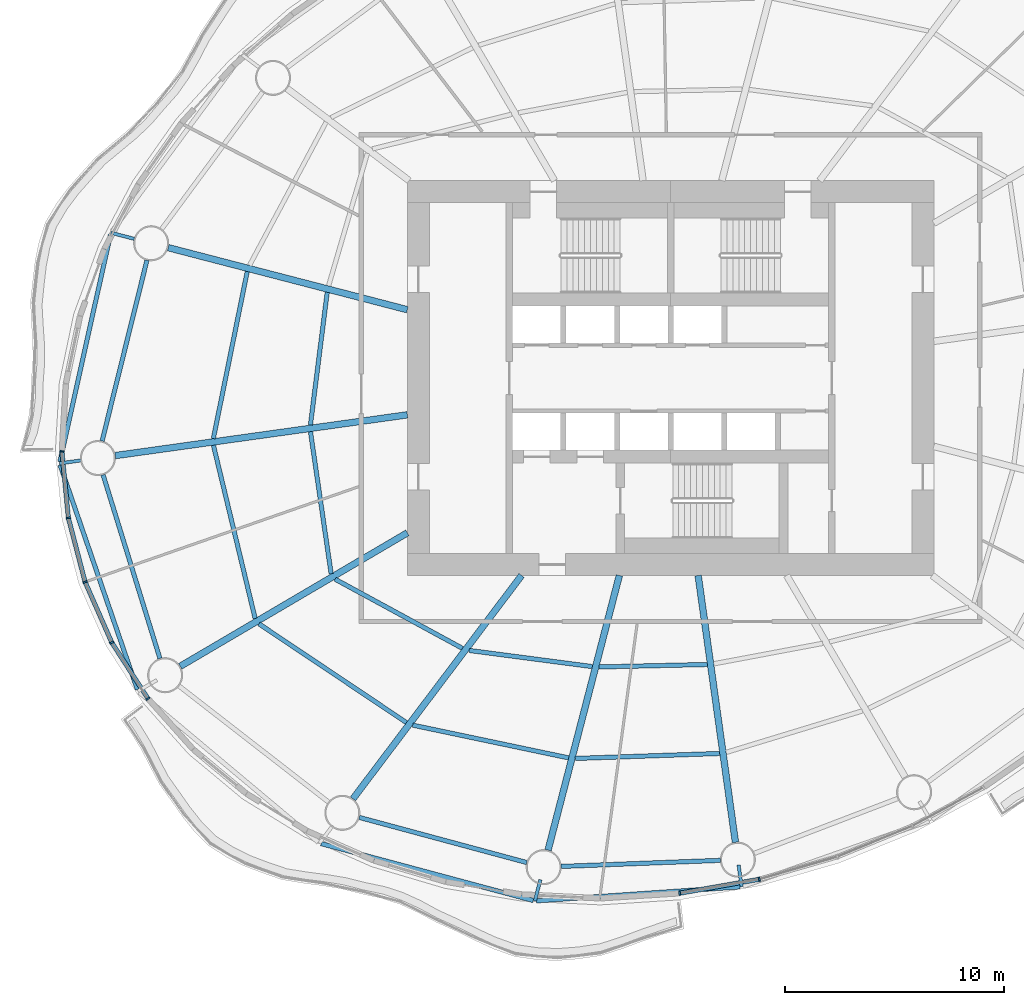
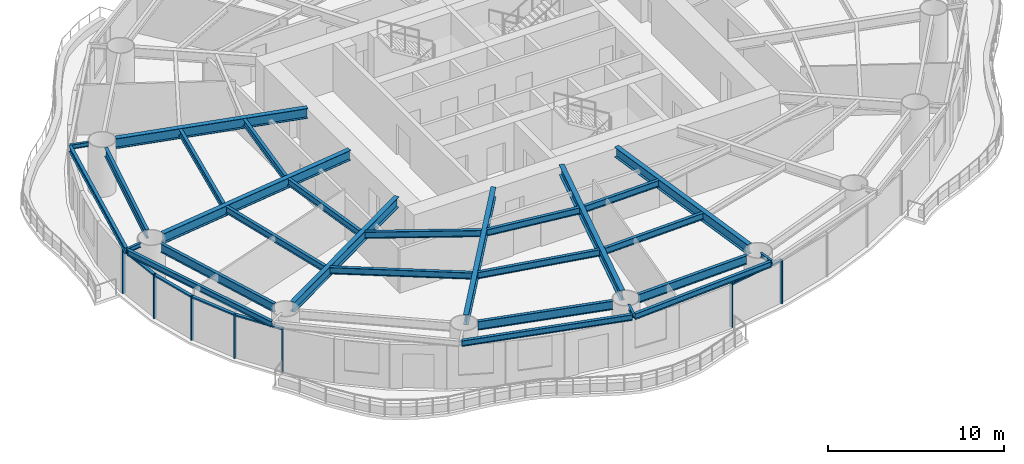
# One storey, part 2 of 16: 28 beams, 12 members, 6 elements without a shape of their own.
"""IFC4 building model written with IfcOpenShell, lengths in metres."""

from ifc_helpers import new_model, si_unit, direction, frame, origin, origin_2d, place, context, subcontext, project, spatial, rectangle, i_section, extrude, material, material_profile, profile_set, type_object, element, aggregate, save


model = new_model("IFC4")

# Units and contexts
model_context = context("Model", 3, precision=1e-05, world=origin(), true_north=direction((0.0, 1.0)))
body_context = subcontext(model_context, "Body", "Model", "MODEL_VIEW")
ifc_project = project(units=[si_unit("LENGTHUNIT", "METRE"), si_unit("AREAUNIT", "SQUARE_METRE"), si_unit("VOLUMEUNIT", "CUBIC_METRE"), si_unit("PLANEANGLEUNIT", "RADIAN"), si_unit("MASSUNIT", "GRAM", prefix="KILO")], contexts=[model_context])

# Site, building, storey
site_placement = place(None, origin())
site = spatial("IfcSite", under=ifc_project, at=site_placement, CompositionType="ELEMENT")
building_placement = place(site_placement, origin())
building = spatial("IfcBuilding", under=site, at=building_placement, Name="Vermilion Reach Broadcast Tower", CompositionType="ELEMENT")
storey_placement = place(building_placement, frame((0.0, 0.0, 110.199951171875)))
storey = spatial("IfcBuildingStorey", under=building, at=storey_placement, Name="L25", CompositionType="ELEMENT", Elevation=110.199951171875)

# Beams
ifc_material_1 = material(Name="Steel S355J2", Category="steel")
ifc_material_profile_1 = material_profile(ifc_material_1, i_section(OverallWidth=0.199951171875, OverallDepth=0.39990234375, WebThickness=0.008056640625, FlangeThickness=0.012939453125, at=origin_2d()), Name="S355J2 HN 400x200x8x13")
ifc_profile_set_1 = profile_set([ifc_material_profile_1], Name="Steel S355J2")
beam_type_1 = type_object("IfcBeamType", Name="EB2 HN 400x200x8x13", PredefinedType="BEAM", material=ifc_profile_set_1)
beam_1_placement = place(storey_placement, frame((-31.531005859375, 6.549072265625, 3.25), z_axis=(-0.217436958046, -0.976074366673, 0.0), x_axis=(0.976074366673, -0.217436958046, 0.0)))
element("IfcBeam", 1, at=beam_1_placement, inside=storey, type_object=beam_type_1, Name="Edge beam EB2-07", PredefinedType="BEAM", context=body_context, shape_type="SweptSolid", body=[
    extrude(i_section(OverallWidth=0.199951171875, OverallDepth=0.39990234375, WebThickness=0.008056640625, FlangeThickness=0.012939453125, at=origin_2d()), origin(), (0.0, 0.0, 1.0), 10.614990234375),
])
beam_2_placement = place(storey_placement, frame((-33.83154296875, -3.96240234375, 3.25), z_axis=(0.325539042291, -0.945528599221, 0.0), x_axis=(0.945528599221, 0.325539042291, 0.0)))
element("IfcBeam", 2, at=beam_2_placement, inside=storey, type_object=beam_type_1, Name="Edge beam EB2-08", PredefinedType="BEAM", context=body_context, shape_type="SweptSolid", body=[
    extrude(i_section(OverallWidth=0.199951171875, OverallDepth=0.39990234375, WebThickness=0.008056640625, FlangeThickness=0.012939453125, at=origin_2d()), origin(), (0.0, 0.0, 1.0), 10.829345703125),
])
beam_3_placement = place(storey_placement, frame((-21.929443359375, -21.22509765625, 3.25), z_axis=(0.965850577486, -0.259099714338, 0.0), x_axis=(0.259099714338, 0.965850577486, 0.0)))
element("IfcBeam", 3, at=beam_3_placement, inside=storey, type_object=beam_type_1, Name="Edge beam EB2-10", PredefinedType="BEAM", context=body_context, shape_type="SweptSolid", body=[
    extrude(i_section(OverallWidth=0.199951171875, OverallDepth=0.39990234375, WebThickness=0.008056640625, FlangeThickness=0.012939453125, at=origin_2d()), origin(), (0.0, 0.0, 1.0), 10.011474609375),
])
beam_4_placement = place(storey_placement, frame((-12.1083984375, -23.833251953125, 3.25), z_axis=(0.997645041067, 0.068588424936, 0.0), x_axis=(-0.068588424936, 0.997645041067, 0.0)))
element("IfcBeam", 4, at=beam_4_placement, inside=storey, type_object=beam_type_1, Name="Edge beam EB2-11", PredefinedType="BEAM", context=body_context, shape_type="SweptSolid", body=[
    extrude(i_section(OverallWidth=0.199951171875, OverallDepth=0.39990234375, WebThickness=0.008056640625, FlangeThickness=0.012939453125, at=origin_2d()), origin(), (0.0, 0.0, 1.0), 9.2939453125),
])
ifc_material_2 = material(Name="Steel S355J2", Category="steel")
ifc_material_profile_2 = material_profile(ifc_material_2, i_section(OverallWidth=0.300048828125, OverallDepth=0.699951171875, WebThickness=0.012939453125, FlangeThickness=0.02392578125, at=origin_2d()), Name="S355J2 HN 700x300x13x24")
ifc_profile_set_2 = profile_set([ifc_material_profile_2], Name="Steel S355J2")
beam_type_2 = type_object("IfcBeamType", Name="G2 HN 700x300x13x24", PredefinedType="BEAM", material=ifc_profile_set_2)
beam_5_placement = place(storey_placement, frame((-18.0, 3.114501953125, 3.10009765625), z_axis=(-0.967926079816, 0.2512351568, 0.0), x_axis=(-0.2512351568, -0.967926079816, 0.0)))
element("IfcBeam", 5, at=beam_5_placement, inside=storey, type_object=beam_type_2, Name="Girder G2-07", PredefinedType="BEAM", context=body_context, shape_type="SweptSolid", body=[
    extrude(i_section(OverallWidth=0.300048828125, OverallDepth=0.699951171875, WebThickness=0.012939453125, FlangeThickness=0.02392578125, at=origin_2d()), origin(), (0.0, 0.0, 1.0), 11.265625),
])
beam_6_placement = place(storey_placement, frame((-18.0, -1.67578125, 3.10009765625), z_axis=(-0.990389457618, -0.138306623986, 0.0), x_axis=(0.138306623986, -0.990389457618, 0.0)))
element("IfcBeam", 6, at=beam_6_placement, inside=storey, type_object=beam_type_2, Name="Girder G2-08", PredefinedType="BEAM", context=body_context, shape_type="SweptSolid", body=[
    extrude(i_section(OverallWidth=0.300048828125, OverallDepth=0.699951171875, WebThickness=0.012939453125, FlangeThickness=0.02392578125, at=origin_2d()), origin(), (0.0, 0.0, 1.0), 13.445556640625),
])
beam_7_placement = place(storey_placement, frame((-18.0, -7.054443359375, 3.10009765625), z_axis=(-0.862071616631, -0.506786471603, 0.0), x_axis=(0.506786471603, -0.862071616631, 0.0)))
element("IfcBeam", 7, at=beam_7_placement, inside=storey, type_object=beam_type_2, Name="Girder G2-09", PredefinedType="BEAM", context=body_context, shape_type="SweptSolid", body=[
    extrude(i_section(OverallWidth=0.300048828125, OverallDepth=0.699951171875, WebThickness=0.012939453125, FlangeThickness=0.02392578125, at=origin_2d()), origin(), (0.0, 0.0, 1.0), 12.01025390625),
])
beam_8_placement = place(storey_placement, frame((-12.794189453125, -9.0, 3.10009765625), z_axis=(-0.602519842365, -0.798103902733, 0.0), x_axis=(0.798103902733, -0.602519842365, 0.0)))
element("IfcBeam", 8, at=beam_8_placement, inside=storey, type_object=beam_type_2, Name="Girder G2-10", PredefinedType="BEAM", context=body_context, shape_type="SweptSolid", body=[
    extrude(i_section(OverallWidth=0.300048828125, OverallDepth=0.699951171875, WebThickness=0.012939453125, FlangeThickness=0.02392578125, at=origin_2d()), origin(), (0.0, 0.0, 1.0), 12.758544921875),
])
beam_9_placement = place(storey_placement, frame((-8.3359375, -9.0, 3.10009765625), z_axis=(-0.25121695316, -0.967930804575, 0.0), x_axis=(0.967930804575, -0.25121695316, 0.0)))
element("IfcBeam", 9, at=beam_9_placement, inside=storey, type_object=beam_type_2, Name="Girder G2-11", PredefinedType="BEAM", context=body_context, shape_type="SweptSolid", body=[
    extrude(i_section(OverallWidth=0.300048828125, OverallDepth=0.699951171875, WebThickness=0.012939453125, FlangeThickness=0.02392578125, at=origin_2d()), origin(), (0.0, 0.0, 1.0), 12.93505859375),
])
beam_10_placement = place(storey_placement, frame((-4.7431640625, -9.0, 3.10009765625), z_axis=(0.138317561234, -0.990387930184, 0.0), x_axis=(0.990387930184, 0.138317561234, 0.0)))
element("IfcBeam", 10, at=beam_10_placement, inside=storey, type_object=beam_type_2, Name="Girder G2-12", PredefinedType="BEAM", context=body_context, shape_type="SweptSolid", body=[
    extrude(i_section(OverallWidth=0.300048828125, OverallDepth=0.699951171875, WebThickness=0.012939453125, FlangeThickness=0.02392578125, at=origin_2d()), origin(), (0.0, 0.0, 1.0), 12.281494140625),
])
ifc_material_3 = material(Name="Steel S355J2", Category="steel")
ifc_material_profile_3 = material_profile(ifc_material_3, i_section(OverallWidth=0.14990234375, OverallDepth=0.300048828125, WebThickness=0.006591796875, FlangeThickness=0.009033203125, at=origin_2d()), Name="S355J2 HN 300x150x6.5x9")
ifc_profile_set_3 = profile_set([ifc_material_profile_3], Name="Steel S355J2")
beam_type_3 = type_object("IfcBeamType", Name="GS2 HN 300x150x6.5x9", PredefinedType="BEAM", material=ifc_profile_set_3)
beam_11_placement = place(storey_placement, frame((-30.452880859375, 6.3466796875, 3.300048828125), z_axis=(-0.967916749873, 0.251271099243, 0.0), x_axis=(-0.251271099243, -0.967916749873, 0.0)))
element("IfcBeam", 11, at=beam_11_placement, inside=storey, type_object=beam_type_3, Name="Cantilever stub GS2-07", PredefinedType="BEAM", context=body_context, shape_type="SweptSolid", body=[
    extrude(i_section(OverallWidth=0.14990234375, OverallDepth=0.300048828125, WebThickness=0.006591796875, FlangeThickness=0.009033203125, at=origin_2d()), origin(), (0.0, 0.0, 1.0), 1.096923828125),
])
for number, where, z_axis, x_axis, name in (
    (12, (-32.865966796875, -3.751953125, 3.300048828125), (-0.990408003315, -0.13817375644, 0.0), (0.13817375644, -0.990408003315, 0.0), "Cantilever stub GS2-08"),
    (13, (-11.93603515625, -22.87060546875, 3.300048828125), (-0.251199368006, -0.967935368459, 0.0), (0.967935368459, -0.251199368006, 0.0), "Cantilever stub GS2-11"),
):
    element("IfcBeam", number, at=place(storey_placement, frame(where, z_axis=z_axis, x_axis=x_axis)), inside=storey, type_object=beam_type_3, Name=name, PredefinedType="BEAM", context=body_context, shape_type="SweptSolid", body=[
        extrude(i_section(OverallWidth=0.14990234375, OverallDepth=0.300048828125, WebThickness=0.006591796875, FlangeThickness=0.009033203125, at=origin_2d()), origin(), (0.0, 0.0, 1.0), 1.0),
    ])
beam_12_placement = place(storey_placement, frame((-2.899658203125, -22.2001953125, 3.300048828125), z_axis=(0.138207172315, -0.990403340827, 0.0), x_axis=(0.990403340827, 0.138207172315, 0.0)))
element("IfcBeam", 14, at=beam_12_placement, inside=storey, type_object=beam_type_3, Name="Cantilever stub GS2-12", PredefinedType="BEAM", context=body_context, shape_type="SweptSolid", body=[
    extrude(i_section(OverallWidth=0.14990234375, OverallDepth=0.300048828125, WebThickness=0.006591796875, FlangeThickness=0.009033203125, at=origin_2d()), origin(), (0.0, 0.0, 1.0), 0.999755859375),
])
ifc_material_4 = material(Name="Steel S355J2", Category="steel")
ifc_material_profile_4 = material_profile(ifc_material_4, i_section(OverallWidth=0.199951171875, OverallDepth=0.60009765625, WebThickness=0.010986328125, FlangeThickness=0.01708984375, at=origin_2d()), Name="S355J2 HN 600x200x11x17")
ifc_profile_set_4 = profile_set([ifc_material_profile_4], Name="Steel S355J2")
beam_type_4 = type_object("IfcBeamType", Name="RB2 HN 600x200x11x17", PredefinedType="BEAM", material=ifc_profile_set_4)
beam_13_placement = place(storey_placement, frame((-29.871337890625, 5.369384765625, 3.150146484375), z_axis=(-0.240863809798, -0.970558924089, 0.0), x_axis=(0.970558924089, -0.240863809798, 0.0)))
element("IfcBeam", 15, at=beam_13_placement, inside=storey, type_object=beam_type_4, Name="Ring beam RB2-07", PredefinedType="BEAM", context=body_context, shape_type="SweptSolid", body=[
    extrude(i_section(OverallWidth=0.199951171875, OverallDepth=0.60009765625, WebThickness=0.010986328125, FlangeThickness=0.01708984375, at=origin_2d()), origin(), (0.0, 0.0, 1.0), 8.489013671875),
])
beam_14_placement = place(storey_placement, frame((-31.872314453125, -4.410400390625, 3.150146484375), z_axis=(0.295788439635, -0.95525347368, 0.0), x_axis=(0.95525347368, 0.295788439635, 0.0)))
element("IfcBeam", 16, at=beam_14_placement, inside=storey, type_object=beam_type_4, Name="Ring beam RB2-08", PredefinedType="BEAM", context=body_context, shape_type="SweptSolid", body=[
    extrude(i_section(OverallWidth=0.199951171875, OverallDepth=0.60009765625, WebThickness=0.010986328125, FlangeThickness=0.01708984375, at=origin_2d()), origin(), (0.0, 0.0, 1.0), 8.763916015625),
])
beam_15_placement = place(storey_placement, frame((-20.19091796875, -20.029296875, 3.150146484375), z_axis=(0.965541463834, -0.260249268234, 0.0), x_axis=(0.260249268234, 0.965541463834, 0.0)))
element("IfcBeam", 17, at=beam_15_placement, inside=storey, type_object=beam_type_4, Name="Ring beam RB2-10", PredefinedType="BEAM", context=body_context, shape_type="SweptSolid", body=[
    extrude(i_section(OverallWidth=0.199951171875, OverallDepth=0.60009765625, WebThickness=0.010986328125, FlangeThickness=0.01708984375, at=origin_2d()), origin(), (0.0, 0.0, 1.0), 7.904541015625),
])
beam_16_placement = place(storey_placement, frame((-10.987060546875, -22.263916015625, 3.150146484375), z_axis=(0.999268558327, 0.038240663418, 0.0), x_axis=(-0.038240663418, 0.999268558327, 0.0)))
element("IfcBeam", 18, at=beam_16_placement, inside=storey, type_object=beam_type_4, Name="Ring beam RB2-11", PredefinedType="BEAM", context=body_context, shape_type="SweptSolid", body=[
    extrude(i_section(OverallWidth=0.199951171875, OverallDepth=0.60009765625, WebThickness=0.010986328125, FlangeThickness=0.01708984375, at=origin_2d()), origin(), (0.0, 0.0, 1.0), 7.259033203125),
])
ifc_material_5 = material(Name="Steel S355J2", Category="steel")
ifc_material_profile_5 = material_profile(ifc_material_5, i_section(OverallWidth=0.199951171875, OverallDepth=0.449951171875, WebThickness=0.009033203125, FlangeThickness=0.013916015625, at=origin_2d()), Name="S355J2 HN 450x200x9x14")
ifc_profile_set_5 = profile_set([ifc_material_profile_5], Name="Steel S355J2")
beam_type_5 = type_object("IfcBeamType", Name="SB2 HN 450x200x9x14", PredefinedType="BEAM", material=ifc_profile_set_5)
beam_17_placement = place(storey_placement, frame((-21.65380859375, 3.907958984375, 3.22509765625), z_axis=(-0.125557241128, -0.992086376885, 0.0), x_axis=(0.992086376885, -0.125557241128, 0.0)))
element("IfcBeam", 19, at=beam_17_placement, inside=storey, type_object=beam_type_5, Name="Secondary beam SB2-07-1", PredefinedType="BEAM", context=body_context, shape_type="SweptSolid", body=[
    extrude(i_section(OverallWidth=0.199951171875, OverallDepth=0.449951171875, WebThickness=0.009033203125, FlangeThickness=0.013916015625, at=origin_2d()), origin(), (0.0, 0.0, 1.0), 6.097900390625),
])
beam_18_placement = place(storey_placement, frame((-25.29931640625, 4.854248046875, 3.22509765625), z_axis=(-0.19906416804, -0.979986457561, 0.0), x_axis=(0.979986457561, -0.19906416804, 0.0)))
element("IfcBeam", 20, at=beam_18_placement, inside=storey, type_object=beam_type_5, Name="Secondary beam SB2-07-2", PredefinedType="BEAM", context=body_context, shape_type="SweptSolid", body=[
    extrude(i_section(OverallWidth=0.199951171875, OverallDepth=0.449951171875, WebThickness=0.009033203125, FlangeThickness=0.013916015625, at=origin_2d()), origin(), (0.0, 0.0, 1.0), 7.76953125),
])
beam_19_placement = place(storey_placement, frame((-22.417236328125, -2.444091796875, 3.22509765625), z_axis=(0.143973706518, -0.989581513485, 0.0), x_axis=(0.989581513485, 0.143973706518, 0.0)))
element("IfcBeam", 21, at=beam_19_placement, inside=storey, type_object=beam_type_5, Name="Secondary beam SB2-08-1", PredefinedType="BEAM", context=body_context, shape_type="SweptSolid", body=[
    extrude(i_section(OverallWidth=0.199951171875, OverallDepth=0.449951171875, WebThickness=0.009033203125, FlangeThickness=0.013916015625, at=origin_2d()), origin(), (0.0, 0.0, 1.0), 6.547119140625),
])
beam_20_placement = place(storey_placement, frame((-26.84228515625, -3.06201171875, 3.22509765625), z_axis=(0.234260568382, -0.972173845617, 0.0), x_axis=(0.972173845617, 0.234260568382, 0.0)))
element("IfcBeam", 22, at=beam_20_placement, inside=storey, type_object=beam_type_5, Name="Secondary beam SB2-08-2", PredefinedType="BEAM", context=body_context, shape_type="SweptSolid", body=[
    extrude(i_section(OverallWidth=0.199951171875, OverallDepth=0.449951171875, WebThickness=0.009033203125, FlangeThickness=0.013916015625, at=origin_2d()), origin(), (0.0, 0.0, 1.0), 8.123779296875),
])
beam_21_placement = place(storey_placement, frame((-21.29736328125, -9.1669921875, 3.22509765625), z_axis=(0.878713106774, -0.477350265512, 0.0), x_axis=(0.477350265512, 0.878713106774, 0.0)))
element("IfcBeam", 23, at=beam_21_placement, inside=storey, type_object=beam_type_5, Name="Secondary beam SB2-09-1", PredefinedType="BEAM", context=body_context, shape_type="SweptSolid", body=[
    extrude(i_section(OverallWidth=0.199951171875, OverallDepth=0.449951171875, WebThickness=0.009033203125, FlangeThickness=0.013916015625, at=origin_2d()), origin(), (0.0, 0.0, 1.0), 6.60888671875),
])
beam_22_placement = place(storey_placement, frame((-24.76416015625, -11.204833984375, 3.22509765625), z_axis=(0.830915400975, -0.556398774641, 0.0), x_axis=(0.556398774641, 0.830915400975, 0.0)))
element("IfcBeam", 24, at=beam_22_placement, inside=storey, type_object=beam_type_5, Name="Secondary beam SB2-09-2", PredefinedType="BEAM", context=body_context, shape_type="SweptSolid", body=[
    extrude(i_section(OverallWidth=0.199951171875, OverallDepth=0.449951171875, WebThickness=0.009033203125, FlangeThickness=0.013916015625, at=origin_2d()), origin(), (0.0, 0.0, 1.0), 8.087646484375),
])
beam_23_placement = place(storey_placement, frame((-15.185546875, -12.416748046875, 3.22509765625), z_axis=(0.991498686864, -0.130116693573, 0.0), x_axis=(0.130116693573, 0.991498686864, 0.0)))
element("IfcBeam", 25, at=beam_23_placement, inside=storey, type_object=beam_type_5, Name="Secondary beam SB2-10-1", PredefinedType="BEAM", context=body_context, shape_type="SweptSolid", body=[
    extrude(i_section(OverallWidth=0.199951171875, OverallDepth=0.449951171875, WebThickness=0.009033203125, FlangeThickness=0.013916015625, at=origin_2d()), origin(), (0.0, 0.0, 1.0), 5.66455078125),
])
beam_24_placement = place(storey_placement, frame((-17.7568359375, -15.822509765625, 3.22509765625), z_axis=(0.978631382549, -0.205622511148, 0.0), x_axis=(0.205622511148, 0.978631382549, 0.0)))
element("IfcBeam", 26, at=beam_24_placement, inside=storey, type_object=beam_type_5, Name="Secondary beam SB2-10-2", PredefinedType="BEAM", context=body_context, shape_type="SweptSolid", body=[
    extrude(i_section(OverallWidth=0.199951171875, OverallDepth=0.449951171875, WebThickness=0.009033203125, FlangeThickness=0.013916015625, at=origin_2d()), origin(), (0.0, 0.0, 1.0), 7.262939453125),
])
beam_25_placement = place(storey_placement, frame((-9.26318359375, -13.169921875, 3.22509765625), z_axis=(0.999742320425, 0.022700060602, 0.0), x_axis=(-0.022700060602, 0.999742320425, 0.0)))
element("IfcBeam", 27, at=beam_25_placement, inside=storey, type_object=beam_type_5, Name="Secondary beam SB2-11-1", PredefinedType="BEAM", context=body_context, shape_type="SweptSolid", body=[
    extrude(i_section(OverallWidth=0.199951171875, OverallDepth=0.449951171875, WebThickness=0.009033203125, FlangeThickness=0.013916015625, at=origin_2d()), origin(), (0.0, 0.0, 1.0), 4.9365234375),
])
beam_26_placement = place(storey_placement, frame((-10.345947265625, -17.34130859375, 3.22509765625), z_axis=(0.999404722387, 0.03449928797, 0.0), x_axis=(-0.03449928797, 0.999404722387, 0.0)))
element("IfcBeam", 28, at=beam_26_placement, inside=storey, type_object=beam_type_5, Name="Secondary beam SB2-11-2", PredefinedType="BEAM", context=body_context, shape_type="SweptSolid", body=[
    extrude(i_section(OverallWidth=0.199951171875, OverallDepth=0.449951171875, WebThickness=0.009033203125, FlangeThickness=0.013916015625, at=origin_2d()), origin(), (0.0, 0.0, 1.0), 6.58837890625),
])

# Curtain wall, member
ifc_material_6 = material(Name="Low-e laminated clear glass in aluminium frame", Category="aluminium")
curtain_wall_type = type_object("IfcCurtainWallType", Name="Slot curtain wall", PredefinedType="NOTDEFINED", material=ifc_material_6)
placement = place(storey_placement, origin())
curtain_wall_1 = element("IfcCurtainWall", 29, at=placement, inside=storey, type_object=curtain_wall_type, Name="Slot curtain wall L25 22", PredefinedType="NOTDEFINED")
ifc_material_7 = material(Name="Anodised aluminium", Category="aluminium")
ifc_material_profile_6 = material_profile(ifc_material_7, rectangle(XDim=0.199951171875, YDim=0.080078125, at=origin_2d()), Name="Slot mullion 80 x 200")
ifc_profile_set_6 = profile_set([ifc_material_profile_6], Name="Anodised aluminium")
member_type_1 = type_object("IfcMemberType", Name="Slot mullion 80 x 200", PredefinedType="MULLION", material=ifc_profile_set_6)
member_1_placement = place(storey_placement, frame((-33.74853515625, -3.346923828125, 0.0), z_axis=(0.0, 0.0, 1.0), x_axis=(0.999806702697, 0.019661059019, 0.0)))
member_1 = element("IfcMember", 30, at=member_1_placement, type_object=member_type_1, Name="Slot mullion L25 22", PredefinedType="MULLION", context=body_context, shape_type="SweptSolid", body=[
    extrude(rectangle(XDim=0.199951171875, YDim=0.080078125, at=origin_2d()), origin(), (0.0, 0.0, 1.0), 3.050048828125),
])

curtain_wall_2 = element("IfcCurtainWall", 31, at=placement, inside=storey, type_object=curtain_wall_type, Name="Slot curtain wall L25 23", PredefinedType="NOTDEFINED")
member_2_placement = place(storey_placement, frame((-33.453857421875, -6.375732421875, 0.0), z_axis=(0.0, 0.0, 1.0), x_axis=(0.984530324389, 0.175214269849, 0.0)))
member_2 = element("IfcMember", 32, at=member_2_placement, type_object=member_type_1, Name="Slot mullion L25 23", PredefinedType="MULLION", context=body_context, shape_type="SweptSolid", body=[
    extrude(rectangle(XDim=0.199951171875, YDim=0.080078125, at=origin_2d()), origin(), (0.0, 0.0, 1.0), 3.050048828125),
])

curtain_wall_3 = element("IfcCurtainWall", 33, at=placement, inside=storey, type_object=curtain_wall_type, Name="Slot curtain wall L25 24", PredefinedType="NOTDEFINED")
member_3_placement = place(storey_placement, frame((-32.69189453125, -9.295166015625, 0.0), z_axis=(0.0, 0.0, 1.0), x_axis=(0.944376385327, 0.328866603406, 0.0)))
member_3 = element("IfcMember", 34, at=member_3_placement, type_object=member_type_1, Name="Slot mullion L25 24", PredefinedType="MULLION", context=body_context, shape_type="SweptSolid", body=[
    extrude(rectangle(XDim=0.199951171875, YDim=0.080078125, at=origin_2d()), origin(), (0.0, 0.0, 1.0), 3.050048828125),
])

# Curtain wall, members
curtain_wall_4 = element("IfcCurtainWall", 35, at=placement, inside=storey, type_object=curtain_wall_type, Name="Slot curtain wall L25 25", PredefinedType="NOTDEFINED")
member_4_placement = place(storey_placement, frame((-31.475830078125, -12.056396484375, 0.0), z_axis=(0.0, 0.0, 1.0), x_axis=(0.880403923445, 0.474224558181, 0.0)))
member_4 = element("IfcMember", 36, at=member_4_placement, type_object=member_type_1, Name="Slot mullion L25 25", PredefinedType="MULLION", context=body_context, shape_type="SweptSolid", body=[
    extrude(rectangle(XDim=0.199951171875, YDim=0.080078125, at=origin_2d()), origin(), (0.0, 0.0, 1.0), 3.050048828125),
])
member_5_placement = place(storey_placement, frame((-29.8251953125, -14.613037109375, 0.0), z_axis=(0.0, 0.0, 1.0), x_axis=(0.795754325682, 0.605619561407, 0.0)))
member_5 = element("IfcMember", 37, at=member_5_placement, type_object=member_type_1, Name="Slot mullion L25 26", PredefinedType="MULLION", context=body_context, shape_type="SweptSolid", body=[
    extrude(rectangle(XDim=0.199951171875, YDim=0.080078125, at=origin_2d()), origin(), (0.0, 0.0, 1.0), 3.050048828125),
])

# Curtain wall, member
curtain_wall_5 = element("IfcCurtainWall", 38, at=placement, inside=storey, type_object=curtain_wall_type, Name="Slot curtain wall L25 34", PredefinedType="NOTDEFINED")
member_6_placement = place(storey_placement, frame((-5.58203125, -23.485107421875, 0.0), z_axis=(0.0, 0.0, 1.0), x_axis=(-0.118386600337, 0.992967578957, 0.0)))
member_6 = element("IfcMember", 39, at=member_6_placement, type_object=member_type_1, Name="Slot mullion L25 34", PredefinedType="MULLION", context=body_context, shape_type="SweptSolid", body=[
    extrude(rectangle(XDim=0.199951171875, YDim=0.080078125, at=origin_2d()), origin(), (0.0, 0.0, 1.0), 3.050048828125),
])

curtain_wall_6 = element("IfcCurtainWall", 40, at=placement, inside=storey, type_object=curtain_wall_type, Name="Slot curtain wall L25 35", PredefinedType="NOTDEFINED")
member_7_placement = place(storey_placement, frame((-1.956787109375, -22.849609375, 0.0), z_axis=(0.0, 0.0, 1.0), x_axis=(-0.225530348008, 0.974236142897, 0.0)))
member_7 = element("IfcMember", 41, at=member_7_placement, type_object=member_type_1, Name="Slot mullion L25 35", PredefinedType="MULLION", context=body_context, shape_type="SweptSolid", body=[
    extrude(rectangle(XDim=0.199951171875, YDim=0.080078125, at=origin_2d()), origin(), (0.0, 0.0, 1.0), 3.050048828125),
])
aggregate(curtain_wall_6, [member_7])

# Member
ifc_material_8 = material(Name="Anodised aluminium", Category="aluminium")
ifc_material_profile_7 = material_profile(ifc_material_8, rectangle(XDim=0.199951171875, YDim=0.10009765625, at=origin_2d()), Name="Slot transom 200 x 100")
ifc_profile_set_7 = profile_set([ifc_material_profile_7], Name="Anodised aluminium")
member_type_2 = type_object("IfcMemberType", Name="Slot transom 200 x 100", PredefinedType="USERDEFINED", material=ifc_profile_set_7)
member_8_placement = place(storey_placement, frame((-33.74462890625, -3.38671875, 3.0), z_axis=(0.096811319025, -0.995302752186, 0.0), x_axis=(0.995302752186, 0.096811319025, 0.0)))
member_8 = element("IfcMember", 42, at=member_8_placement, type_object=member_type_2, Name="Slot transom L25 22.1", ObjectType="TRANSOM", PredefinedType="USERDEFINED", context=body_context, shape_type="SweptSolid", body=[
    extrude(rectangle(XDim=0.199951171875, YDim=0.10009765625, at=origin_2d()), origin(), (0.0, 0.0, 1.0), 2.963134765625),
])

aggregate(curtain_wall_1, [member_1, member_8])

member_9_placement = place(storey_placement, frame((-33.44384765625, -6.414306640625, 3.0), z_axis=(0.252516637304, -0.967592552619, 0.0), x_axis=(0.967592552619, 0.252516637304, 0.0)))
member_9 = element("IfcMember", 43, at=member_9_placement, type_object=member_type_2, Name="Slot transom L25 23.1", ObjectType="TRANSOM", PredefinedType="USERDEFINED", context=body_context, shape_type="SweptSolid", body=[
    extrude(rectangle(XDim=0.199951171875, YDim=0.10009765625, at=origin_2d()), origin(), (0.0, 0.0, 1.0), 2.937255859375),
])

aggregate(curtain_wall_2, [member_2, member_9])

member_10_placement = place(storey_placement, frame((-32.67578125, -9.331787109375, 3.0), z_axis=(0.403058932711, -0.915174025397, 0.0), x_axis=(0.915174025397, 0.403058932711, 0.0)))
member_10 = element("IfcMember", 44, at=member_10_placement, type_object=member_type_2, Name="Slot transom L25 24.1", ObjectType="TRANSOM", PredefinedType="USERDEFINED", context=body_context, shape_type="SweptSolid", body=[
    extrude(rectangle(XDim=0.199951171875, YDim=0.10009765625, at=origin_2d()), origin(), (0.0, 0.0, 1.0), 2.93701171875),
])

aggregate(curtain_wall_3, [member_3, member_10])

member_11_placement = place(storey_placement, frame((-31.4541015625, -12.08984375, 3.0), z_axis=(0.542376438774, -0.8401355835, 0.0), x_axis=(0.8401355835, 0.542376438774, 0.0)))
member_11 = element("IfcMember", 45, at=member_11_placement, type_object=member_type_2, Name="Slot transom L25 25.1", ObjectType="TRANSOM", PredefinedType="USERDEFINED", context=body_context, shape_type="SweptSolid", body=[
    extrude(rectangle(XDim=0.199951171875, YDim=0.10009765625, at=origin_2d()), origin(), (0.0, 0.0, 1.0), 2.963134765625),
])

aggregate(curtain_wall_4, [member_4, member_5, member_11])

member_12_placement = place(storey_placement, frame((-5.54248046875, -23.47802734375, 3.0), z_axis=(0.984982931919, 0.172651741457, 0.0), x_axis=(-0.172651741457, 0.984982931919, 0.0)))
member_12 = element("IfcMember", 46, at=member_12_placement, type_object=member_type_2, Name="Slot transom L25 34.1", ObjectType="TRANSOM", PredefinedType="USERDEFINED", context=body_context, shape_type="SweptSolid", body=[
    extrude(rectangle(XDim=0.199951171875, YDim=0.10009765625, at=origin_2d()), origin(), (0.0, 0.0, 1.0), 3.60009765625),
])

aggregate(curtain_wall_5, [member_6, member_12])

save(model, "model.ifc")
